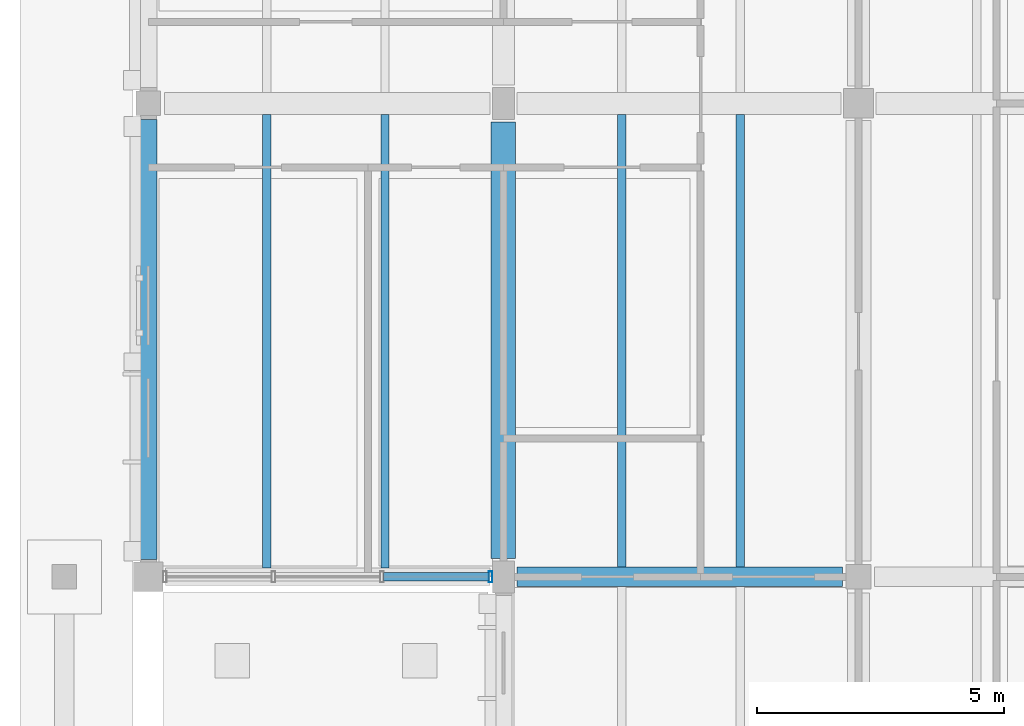
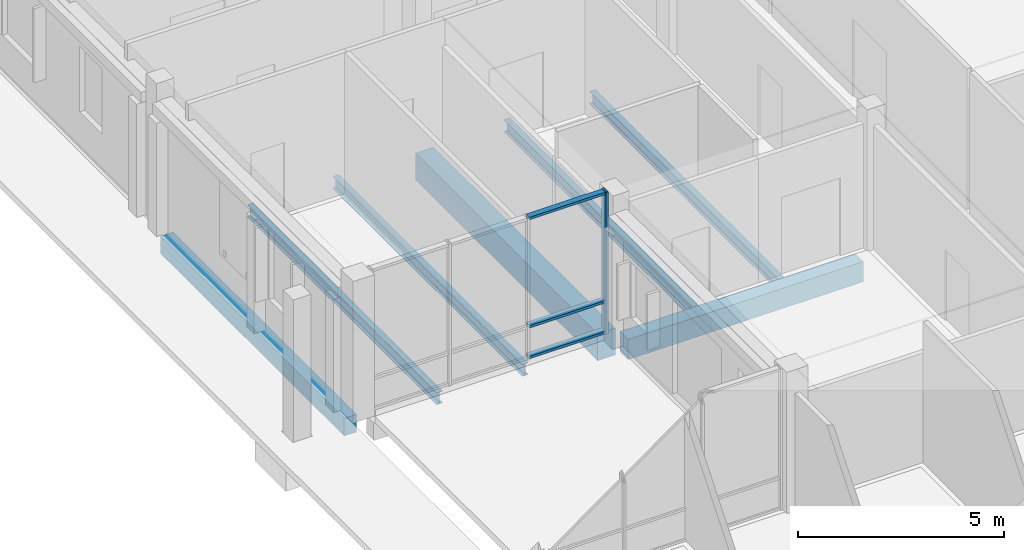
# One storey, part 13 of 104: 7 beams, 4 members, 1 element without a shape of its own.
"""IFC4 building model written with IfcOpenShell, lengths in metres."""

from ifc_helpers import new_model, si_unit, direction, frame, origin, origin_2d, place, context, subcontext, project, spatial, rectangle, hollow_rectangle, i_section, extrude, material, material_profile, profile_set, type_object, element, aggregate, save


model = new_model("IFC4")

# Units and contexts
model_context = context("Model", 3, precision=1e-05, world=origin(), true_north=direction((0.0, 1.0)))
body_context = subcontext(model_context, "Body", "Model", "MODEL_VIEW")
ifc_project = project(units=[si_unit("LENGTHUNIT", "METRE"), si_unit("AREAUNIT", "SQUARE_METRE"), si_unit("VOLUMEUNIT", "CUBIC_METRE"), si_unit("PLANEANGLEUNIT", "RADIAN"), si_unit("MASSUNIT", "GRAM", prefix="KILO")], contexts=[model_context])

# Site, building, storey
site_placement = place(None, origin())
site = spatial("IfcSite", under=ifc_project, at=site_placement, CompositionType="ELEMENT")
building_placement = place(site_placement, origin())
building = spatial("IfcBuilding", under=site, at=building_placement, Name="Hawrajan Terrace Health Centre", CompositionType="ELEMENT")
storey_placement = place(building_placement, origin())
storey = spatial("IfcBuildingStorey", under=building, at=storey_placement, Name="L00", CompositionType="ELEMENT", Elevation=0.0)

# Curtain wall, members
ifc_material_1 = material(Name="Anodized bronze aluminium and low-E solar glazing", Category="aluminium")
curtain_wall_type = type_object("IfcCurtainWallType", Name="CW_Court_SeriesA2", PredefinedType="USERDEFINED", material=ifc_material_1)
curtain_wall_placement = place(storey_placement, origin())
curtain_wall = element("IfcCurtainWall", 1, at=curtain_wall_placement, inside=storey, type_object=curtain_wall_type, Name="Curtain wall CW-L00-002", ObjectType="UNITISED CURTAIN WALL", PredefinedType="USERDEFINED")
ifc_material_2 = material(Name="Anodized bronze aluminium 6063-T6", Category="aluminium")
ifc_material_profile_1 = material_profile(ifc_material_2, hollow_rectangle(XDim=0.074951171875, YDim=0.219970703125, WallThickness=0.0048828125, at=origin_2d()), Name="CW MUL 75x220")
ifc_profile_set_1 = profile_set([ifc_material_profile_1], Name="Anodized bronze aluminium 6063-T6")
member_type_1 = type_object("IfcMemberType", Name="CWMullion_75x220", PredefinedType="MULLION", material=ifc_profile_set_1)
member_1_placement = place(storey_placement, frame((11.53759765625, 27.199951171875, -0.0048828125), z_axis=(0.0, 0.0, 1.0), x_axis=(1.0, 0.0, 0.0)))
member_1 = element("IfcMember", 2, at=member_1_placement, type_object=member_type_1, Name="Mullion CW-L00-002-M4", PredefinedType="MULLION", context=body_context, shape_type="SweptSolid", body=[
    extrude(hollow_rectangle(XDim=0.074951171875, YDim=0.219970703125, WallThickness=0.0048828125, at=origin_2d()), origin(), (0.0, 0.0, 1.0), 4.2099609375),
])
ifc_material_profile_2 = material_profile(ifc_material_2, hollow_rectangle(XDim=0.074951171875, YDim=0.169921875, WallThickness=0.00439453125, at=origin_2d()), Name="CW TRN 75x170")
ifc_profile_set_2 = profile_set([ifc_material_profile_2], Name="Anodized bronze aluminium 6063-T6")
member_type_2 = type_object("IfcMemberType", Name="CWTransom_75x170", PredefinedType="USERDEFINED", material=ifc_profile_set_2)
member_2_placement = place(storey_placement, frame((9.368896484375, 27.199951171875, 0.03759765625), z_axis=(1.0, 0.0, 0.0), x_axis=(0.0, 0.0, 1.0)))
member_2 = element("IfcMember", 3, at=member_2_placement, type_object=member_type_2, Name="Transom CW-L00-002-T3-1", ObjectType="TRANSOM", PredefinedType="USERDEFINED", context=body_context, shape_type="SweptSolid", body=[
    extrude(hollow_rectangle(XDim=0.074951171875, YDim=0.169921875, WallThickness=0.00439453125, at=origin_2d()), origin(), (0.0, 0.0, 1.0), 2.13720703125),
])
member_3_placement = place(storey_placement, frame((9.368896484375, 27.199951171875, 0.949951171875), z_axis=(1.0, 0.0, 0.0), x_axis=(0.0, 0.0, 1.0)))
member_3 = element("IfcMember", 4, at=member_3_placement, type_object=member_type_2, Name="Transom CW-L00-002-T3-2", ObjectType="TRANSOM", PredefinedType="USERDEFINED", context=body_context, shape_type="SweptSolid", body=[
    extrude(hollow_rectangle(XDim=0.074951171875, YDim=0.169921875, WallThickness=0.00439453125, at=origin_2d()), origin(), (0.0, 0.0, 1.0), 2.13720703125),
])
member_4_placement = place(storey_placement, frame((9.368896484375, 27.199951171875, 4.16259765625), z_axis=(1.0, 0.0, 0.0), x_axis=(0.0, 0.0, 1.0)))
member_4 = element("IfcMember", 5, at=member_4_placement, type_object=member_type_2, Name="Transom CW-L00-002-T3-3", ObjectType="TRANSOM", PredefinedType="USERDEFINED", context=body_context, shape_type="SweptSolid", body=[
    extrude(hollow_rectangle(XDim=0.074951171875, YDim=0.169921875, WallThickness=0.00439453125, at=origin_2d()), origin(), (0.0, 0.0, 1.0), 2.13720703125),
])
aggregate(curtain_wall, [member_1, member_2, member_3, member_4])

# Beams
ifc_material_3 = material(Name="Concrete C40/50", Category="concrete")
ifc_material_profile_3 = material_profile(ifc_material_3, rectangle(XDim=0.39990234375, YDim=0.60009765625, at=origin_2d()), Name="RC BM 400x600")
ifc_profile_set_3 = profile_set([ifc_material_profile_3], Name="Concrete C40/50")
beam_type_1 = type_object("IfcBeamType", Name="RCGirder_400x600", PredefinedType="BEAM", material=ifc_profile_set_3)
beam_1_placement = place(storey_placement, frame((12.074951171875, 27.199951171875, -0.60009765625), z_axis=(1.0, 0.0, 0.0), x_axis=(0.0, 1.0, 0.0)))
element("IfcBeam", 6, at=beam_1_placement, inside=storey, type_object=beam_type_1, Name="Beam BM-X-L00-W-02-Y4", PredefinedType="BEAM", context=body_context, shape_type="SweptSolid", body=[
    extrude(rectangle(XDim=0.39990234375, YDim=0.60009765625, at=origin_2d()), origin(), (0.0, 0.0, 1.0), 6.60009765625),
])
ifc_material_profile_4 = material_profile(ifc_material_3, rectangle(XDim=0.5, YDim=0.800048828125, at=origin_2d()), Name="RC BM 500x800")
ifc_profile_set_4 = profile_set([ifc_material_profile_4], Name="Concrete C40/50")
beam_type_2 = type_object("IfcBeamType", Name="RCGirder_500x800", PredefinedType="BEAM", material=ifc_profile_set_4)
beam_2_placement = place(storey_placement, frame((11.800048828125, 27.574951171875, -0.699951171875), z_axis=(0.0, 1.0, 0.0), x_axis=(-1.0, 0.0, 0.0)))
element("IfcBeam", 7, at=beam_2_placement, inside=storey, type_object=beam_type_2, Name="Beam BM-Y-L00-W-X02-4", PredefinedType="BEAM", context=body_context, shape_type="SweptSolid", body=[
    extrude(rectangle(XDim=0.5, YDim=0.800048828125, at=origin_2d()), origin(), (0.0, 0.0, 1.0), 8.85009765625),
])
ifc_material_profile_5 = material_profile(ifc_material_3, rectangle(XDim=0.35009765625, YDim=0.52001953125, at=origin_2d()), Name="RC SP 350x520")
ifc_profile_set_5 = profile_set([ifc_material_profile_5], Name="Concrete C40/50")
beam_type_3 = type_object("IfcBeamType", Name="RCSpandrel_350x520", PredefinedType="SPANDREL", material=ifc_profile_set_5)
beam_3_placement = place(storey_placement, frame((4.60009765625, 27.550048828125, -0.56005859375), z_axis=(0.0, 1.0, 0.0), x_axis=(-1.0, 0.0, 0.0)))
element("IfcBeam", 8, at=beam_3_placement, inside=storey, type_object=beam_type_3, Name="Beam BM-Y-L00-W-X01-4", PredefinedType="SPANDREL", context=body_context, shape_type="SweptSolid", body=[
    extrude(rectangle(XDim=0.35009765625, YDim=0.52001953125, at=origin_2d()), origin(), (0.0, 0.0, 1.0), 8.925048828125),
])
ifc_material_4 = material(Name="Steel S355", Category="steel")
ifc_material_profile_6 = material_profile(ifc_material_4, i_section(OverallWidth=0.169921875, OverallDepth=0.360107421875, WebThickness=0.008056640625, FlangeThickness=0.0126953125, FilletRadius=0.01806640625, at=origin_2d()), Name="IPE 360")
ifc_profile_set_6 = profile_set([ifc_material_profile_6], Name="Steel S355")
beam_type_4 = type_object("IfcBeamType", Name="SteelBeam_IPE360", PredefinedType="BEAM", material=ifc_profile_set_6)
for number, where, z_axis, x_axis, name in (
    (9, (7.0, 27.375, -0.47998046875), (0.0, 1.0, 0.0), (-1.0, 0.0, 0.0), "Secondary joist JST-L00-W-01-4-1"),
    (10, (9.39990234375, 27.375, -0.47998046875), (0.0, 1.0, 0.0), (-1.0, 0.0, 0.0), "Secondary joist JST-L00-W-01-4-2"),
):
    element("IfcBeam", number, at=place(storey_placement, frame(where, z_axis=z_axis, x_axis=x_axis)), inside=storey, type_object=beam_type_4, Name=name, PredefinedType="BEAM", context=body_context, shape_type="SweptSolid", body=[
        extrude(i_section(OverallWidth=0.169921875, OverallDepth=0.360107421875, WebThickness=0.008056640625, FlangeThickness=0.0126953125, FilletRadius=0.01806640625, at=origin_2d()), origin(), (0.0, 0.0, 1.0), 9.199951171875),
    ])
for number, where, z_axis, x_axis, name in (
    (11, (14.199951171875, 27.39990234375, -0.47998046875), (0.0, 1.0, 0.0), (-1.0, 0.0, 0.0), "Secondary joist JST-L00-W-02-4-1"),
    (12, (16.60009765625, 27.39990234375, -0.47998046875), (0.0, 1.0, 0.0), (-1.0, 0.0, 0.0), "Secondary joist JST-L00-W-02-4-2"),
):
    element("IfcBeam", number, at=place(storey_placement, frame(where, z_axis=z_axis, x_axis=x_axis)), inside=storey, type_object=beam_type_4, Name=name, PredefinedType="BEAM", context=body_context, shape_type="SweptSolid", body=[
        extrude(i_section(OverallWidth=0.169921875, OverallDepth=0.360107421875, WebThickness=0.008056640625, FlangeThickness=0.0126953125, FilletRadius=0.01806640625, at=origin_2d()), origin(), (0.0, 0.0, 1.0), 9.175048828125),
    ])

save(model, "model.ifc")
